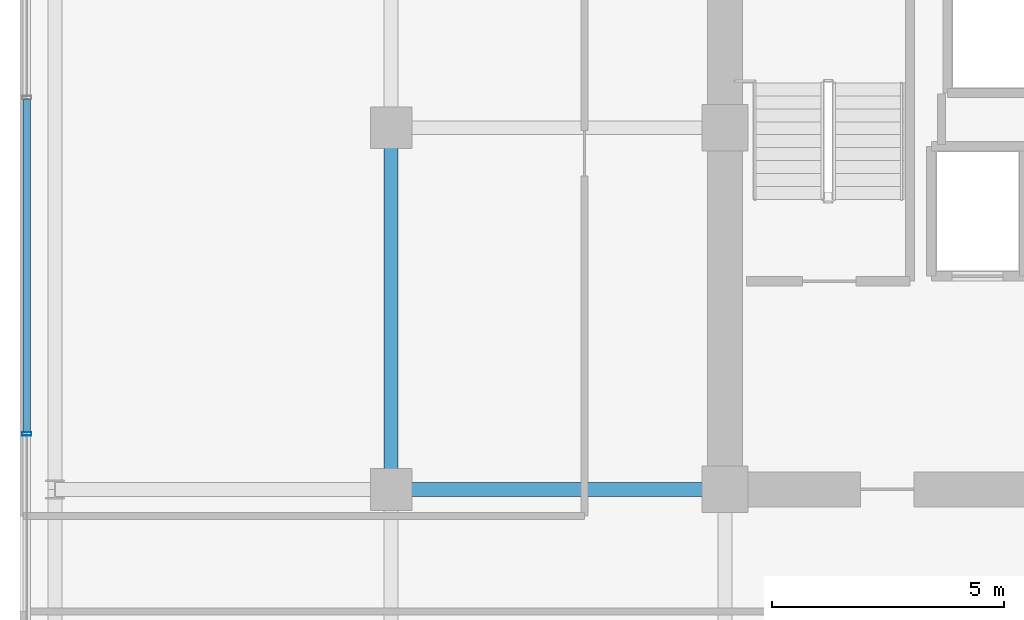
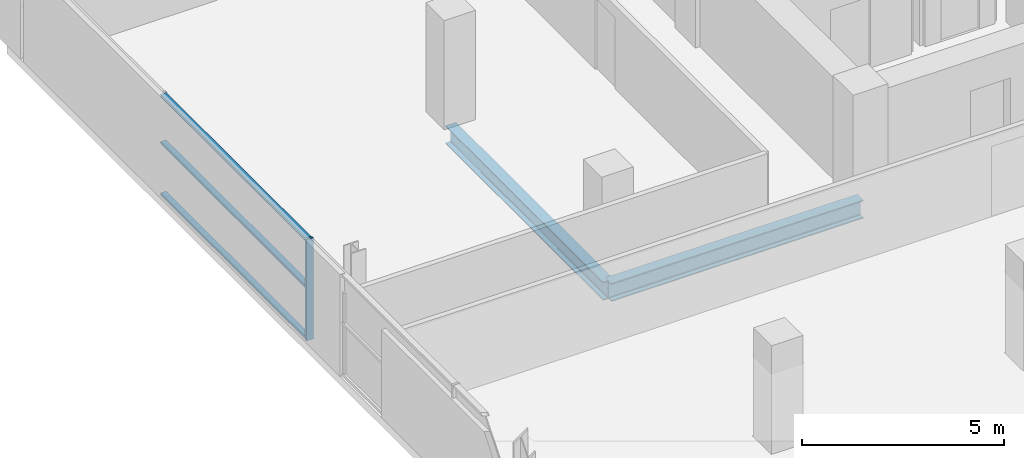
# One storey, part 8 of 27: 4 members, 2 beams, 1 element without a shape of its own.
"""IFC4 building model written with IfcOpenShell, lengths in metres."""

from ifc_helpers import new_model, si_unit, direction, frame, origin, origin_2d, place, context, subcontext, project, spatial, hollow_rectangle, i_section, extrude, source, transform, mapped, material, layer, layer_set, material_profile, profile_set, type_object, element, aggregate, save


model = new_model("IFC4")

# Units and contexts
model_context = context("Model", 3, precision=1e-05, world=origin(), true_north=direction((0.0, 1.0)))
body_context = subcontext(model_context, "Body", "Model", "MODEL_VIEW")
ifc_project = project(units=[si_unit("LENGTHUNIT", "METRE"), si_unit("AREAUNIT", "SQUARE_METRE"), si_unit("VOLUMEUNIT", "CUBIC_METRE"), si_unit("PLANEANGLEUNIT", "RADIAN"), si_unit("MASSUNIT", "GRAM", prefix="KILO")], contexts=[model_context])

# Site, building, storey
site_placement = place(None, origin())
site = spatial("IfcSite", under=ifc_project, at=site_placement, CompositionType="ELEMENT")
building_placement = place(site_placement, origin())
building = spatial("IfcBuilding", under=site, at=building_placement, Name="Zarnakvel Exchange Tower", CompositionType="ELEMENT")
storey_placement = place(building_placement, frame((0.0, 0.0, 86.800048828125)))
storey = spatial("IfcBuildingStorey", under=building, at=storey_placement, Name="L23", CompositionType="ELEMENT", Elevation=86.800048828125)

# Beams
ifc_material_1 = material(Name="Steel S355", Category="steel")
ifc_material_profile_1 = material_profile(ifc_material_1, i_section(OverallWidth=0.300048828125, OverallDepth=0.550048828125, WebThickness=0.014892578125, FlangeThickness=0.029052734375, FilletRadius=0.027099609375, at=origin_2d()))
ifc_profile_set_1 = profile_set([ifc_material_profile_1], Name="Steel S355")
beam_type = type_object("IfcBeamType", Name="G-05", PredefinedType="BEAM", material=ifc_profile_set_1)
beam_1_placement = place(storey_placement, frame((-21.60009765625, -1.199951171875, -0.525146484375), z_axis=(1.0, 0.0, 0.0), x_axis=(0.0, 1.0, 0.0)))
element("IfcBeam", 1, at=beam_1_placement, inside=storey, type_object=beam_type, Name="L23 Tower E-W Frame Beam", PredefinedType="BEAM", context=body_context, shape_type="SweptSolid", body=[
    extrude(i_section(OverallWidth=0.300048828125, OverallDepth=0.550048828125, WebThickness=0.014892578125, FlangeThickness=0.029052734375, FilletRadius=0.027099609375, at=origin_2d()), origin(), (0.0, 0.0, 1.0), 7.2001953125),
])
beam_2_placement = place(storey_placement, frame((-21.60009765625, -1.199951171875, -0.525146484375), z_axis=(0.0, 1.0, 0.0), x_axis=(-1.0, 0.0, 0.0)))
element("IfcBeam", 2, at=beam_2_placement, inside=storey, type_object=beam_type, Name="L23 Tower N-S Frame Beam", PredefinedType="BEAM", context=body_context, shape_type="SweptSolid", body=[
    extrude(i_section(OverallWidth=0.300048828125, OverallDepth=0.550048828125, WebThickness=0.014892578125, FlangeThickness=0.029052734375, FilletRadius=0.027099609375, at=origin_2d()), origin(), (0.0, 0.0, 1.0), 7.800048828125),
])

# Curtain wall, members
ifc_material_2 = material(Name="Architectural Bronze Anodised Aluminium", Category="aluminium")
ifc_layer = layer(ifc_material_2, 0.199951171875)
ifc_layer_set = layer_set([ifc_layer], Name="Architectural Bronze Anodised Aluminium")
curtain_wall_type = type_object("IfcCurtainWallType", Name="CW-04", PredefinedType="NOTDEFINED", material=ifc_layer_set)
curtain_wall_placement = place(storey_placement, origin())
curtain_wall = element("IfcCurtainWall", 3, at=curtain_wall_placement, inside=storey, type_object=curtain_wall_type, Name="L23 Curtain Wall CW-L23-W1 (CW-04)", PredefinedType="NOTDEFINED")
ifc_material_profile_2 = material_profile(ifc_material_2, hollow_rectangle(XDim=0.199951171875, YDim=0.074951171875, WallThickness=0.0048828125, at=origin_2d()))
ifc_profile_set_2 = profile_set([ifc_material_profile_2], Name="Architectural Bronze Anodised Aluminium")
member_type_1 = type_object("IfcMemberType", Name="CWM-04", PredefinedType="MULLION", material=ifc_profile_set_2)
shared_shape_1 = source(origin(), body_context, "Body", "SweptSolid", [
    extrude(hollow_rectangle(XDim=0.199951171875, YDim=0.074951171875, WallThickness=0.0048828125, at=origin_2d()), origin(), (0.0, 0.0, 1.0), 3.054931640625),
])
member_1_placement = place(storey_placement, frame((-29.4599609375, 0.0, 0.0), z_axis=(0.0, 0.0, 1.0), x_axis=(-1.0, 0.0, 0.0)))
member_1 = element("IfcMember", 4, at=member_1_placement, type_object=member_type_1, Name="CW-04 mullion 3", PredefinedType="MULLION", context=body_context, shape_type="MappedRepresentation", body=[
    mapped(shared_shape_1, transform((0.0, 0.0, 0.0), x_axis=(1.0, 0.0, 0.0), y_axis=(0.0, 1.0, 0.0), z_axis=(0.0, 0.0, 1.0), scale=1.0)),
])
ifc_material_profile_3 = material_profile(ifc_material_2, hollow_rectangle(XDim=0.159912109375, YDim=0.074951171875, WallThickness=0.00390625, at=origin_2d()))
ifc_profile_set_3 = profile_set([ifc_material_profile_3], Name="Architectural Bronze Anodised Aluminium")
member_type_2 = type_object("IfcMemberType", Name="CWT-04", PredefinedType="USERDEFINED", material=ifc_profile_set_3)
shared_shape_2 = source(origin(), body_context, "Body", "SweptSolid", [
    extrude(hollow_rectangle(XDim=0.159912109375, YDim=0.074951171875, WallThickness=0.00390625, at=origin_2d()), origin(), (0.0, 0.0, 1.0), 7.1748046875),
])
member_2_placement = place(storey_placement, frame((-29.4599609375, 0.03759765625, 0.037353515625), z_axis=(0.0, 1.0, 0.0), x_axis=(-1.0, 0.0, 0.0)))
member_2 = element("IfcMember", 5, at=member_2_placement, type_object=member_type_2, Name="CW-04 transom 3.1", ObjectType="TRANSOM", PredefinedType="USERDEFINED", context=body_context, shape_type="MappedRepresentation", body=[
    mapped(shared_shape_2, transform((0.0, 0.0, 0.0), x_axis=(1.0, 0.0, 0.0), y_axis=(0.0, 1.0, 0.0), z_axis=(0.0, 0.0, 1.0), scale=1.0)),
])
member_3_placement = place(storey_placement, frame((-29.4599609375, 0.03759765625, 1.588623046875), z_axis=(0.0, 1.0, 0.0), x_axis=(-1.0, 0.0, 0.0)))
member_3 = element("IfcMember", 6, at=member_3_placement, type_object=member_type_2, Name="CW-04 transom 3.2", ObjectType="TRANSOM", PredefinedType="USERDEFINED", context=body_context, shape_type="MappedRepresentation", body=[
    mapped(shared_shape_2, transform((0.0, 0.0, 0.0), x_axis=(1.0, 0.0, 0.0), y_axis=(0.0, 1.0, 0.0), z_axis=(0.0, 0.0, 1.0), scale=1.0)),
])
member_4_placement = place(storey_placement, frame((-29.4599609375, 0.03759765625, 3.017333984375), z_axis=(0.0, 1.0, 0.0), x_axis=(-1.0, 0.0, 0.0)))
member_4 = element("IfcMember", 7, at=member_4_placement, type_object=member_type_2, Name="CW-04 transom 3.3", ObjectType="TRANSOM", PredefinedType="USERDEFINED", context=body_context, shape_type="MappedRepresentation", body=[
    mapped(shared_shape_2, transform((0.0, 0.0, 0.0), x_axis=(1.0, 0.0, 0.0), y_axis=(0.0, 1.0, 0.0), z_axis=(0.0, 0.0, 1.0), scale=1.0)),
])
aggregate(curtain_wall, [member_1, member_2, member_3, member_4])

save(model, "model.ifc")
